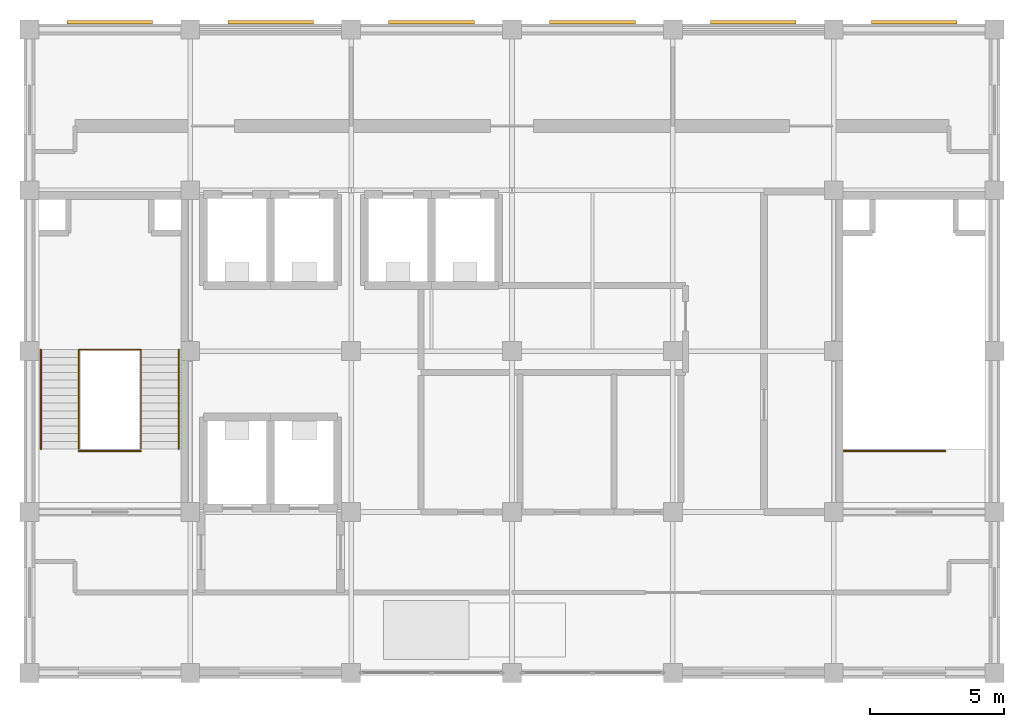
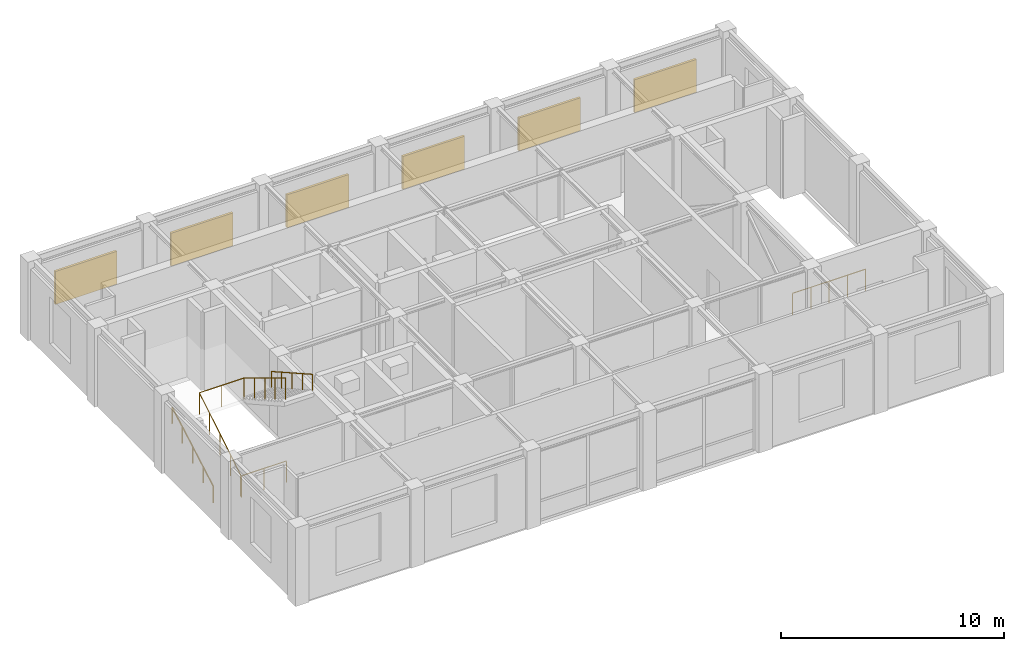
# One storey, part 11 of 11: 6 shading devices, 5 railings.
"""IFC4 building model written with IfcOpenShell, lengths in metres."""

from ifc_helpers import new_model, si_unit, direction, frame, origin, origin_2d, place, context, subcontext, project, spatial, rectangle, circle, extrude, material, type_object, element, save


model = new_model("IFC4")

# Units and contexts
model_context = context("Model", 3, precision=1e-05, world=origin(), true_north=direction((0.0, 1.0)))
body_context = subcontext(model_context, "Body", "Model", "MODEL_VIEW")
ifc_project = project(units=[si_unit("LENGTHUNIT", "METRE"), si_unit("AREAUNIT", "SQUARE_METRE"), si_unit("VOLUMEUNIT", "CUBIC_METRE"), si_unit("PLANEANGLEUNIT", "RADIAN"), si_unit("MASSUNIT", "GRAM", prefix="KILO")], contexts=[model_context])

# Site, building, storey
site_placement = place(None, origin())
site = spatial("IfcSite", under=ifc_project, at=site_placement, CompositionType="ELEMENT")
building_placement = place(site_placement, origin())
building = spatial("IfcBuilding", under=site, at=building_placement, Name="Zlatovratsky Civic Hall", CompositionType="ELEMENT")
storey_placement = place(building_placement, frame((0.0, 0.0, 72.0)))
storey = spatial("IfcBuildingStorey", under=building, at=storey_placement, Name="L18", CompositionType="ELEMENT", Elevation=72.0)

# Shading devices
ifc_material_1 = material(Name="Anodised bronze aluminium", Category="aluminium")
shading_device_type = type_object("IfcShadingDeviceType", Name="Louvre_BronzeAcoustic", PredefinedType="SHUTTER", material=ifc_material_1)
for number, where, z_axis, x_axis, name in (
    (1, (69.0, 102.27001953125, 1.0400390625), (0.0, 0.0, 1.0), (1.0, 0.0, 0.0), "LV-01"),
    (2, (75.0, 102.27001953125, 1.0400390625), (0.0, 0.0, 1.0), (1.0, 0.0, 0.0), "LV-02"),
    (3, (81.0, 102.27001953125, 1.0400390625), (0.0, 0.0, 1.0), (1.0, 0.0, 0.0), "LV-03"),
    (4, (87.0, 102.27001953125, 1.0400390625), (0.0, 0.0, 1.0), (1.0, 0.0, 0.0), "LV-04"),
    (5, (93.0, 102.27001953125, 1.0400390625), (0.0, 0.0, 1.0), (1.0, 0.0, 0.0), "LV-05"),
    (6, (99.0, 102.27001953125, 1.0400390625), (0.0, 0.0, 1.0), (1.0, 0.0, 0.0), "LV-06"),
):
    element("IfcShadingDevice", number, at=place(storey_placement, frame(where, z_axis=z_axis, x_axis=x_axis)), inside=storey, type_object=shading_device_type, Name=name, PredefinedType="SHUTTER", context=body_context, shape_type="SweptSolid", body=[
        extrude(rectangle(XDim=3.199951171875, YDim=0.1201171875, at=origin_2d()), origin(), (0.0, 0.0, 1.0), 1.800048828125),
    ])

# Railings
ifc_material_2 = material(Name="Brushed stainless steel AISI 304", Category="steel")
railing_type_1 = type_object("IfcRailingType", Name="Railing_Guardrail_1200", PredefinedType="GUARDRAIL", material=ifc_material_2)
railing_1_placement = place(storey_placement, frame((67.840087890625, 86.35009765625, 0.0)))
element("IfcRailing", 7, at=railing_1_placement, inside=storey, type_object=railing_type_1, Name="RL-0572", PredefinedType="GUARDRAIL", context=body_context, shape_type="SweptSolid", body=[
    extrude(circle(Radius=0.02392578125, at=origin_2d()), frame((0.0, 0.0, 1.17578125), z_axis=(0.0, 0.854722365387, 0.519085424673), x_axis=(-1.0, 0.0, 0.0)), (0.0, 0.0, 1.0), 4.33447265625),
    extrude(circle(Radius=0.02392578125, at=origin_2d()), frame((0.0, 3.704833984375, 3.42578125), z_axis=(1.0, 0.0, 0.0), x_axis=(0.0, 1.0, 0.0)), (0.0, 0.0, 1.0), 2.31982421875),
    extrude(circle(Radius=0.02392578125, at=origin_2d()), frame((2.31982421875, 3.704833984375, 3.42578125), z_axis=(0.0, -0.854722365387, 0.519085424673), x_axis=(1.0, 0.0, 0.0)), (0.0, 0.0, 1.0), 4.33447265625),
    extrude(circle(Radius=0.02099609375, at=origin_2d()), origin(), (0.0, 0.0, 1.0), 1.15185546875),
    extrude(circle(Radius=0.02099609375, at=origin_2d()), frame((0.0, 0.92626953125, 0.5625)), (0.0, 0.0, 1.0), 1.15185546875),
    extrude(circle(Radius=0.02099609375, at=origin_2d()), frame((0.0, 1.8525390625, 1.125)), (0.0, 0.0, 1.0), 1.15185546875),
    extrude(circle(Radius=0.02099609375, at=origin_2d()), frame((0.0, 2.778564453125, 1.6875)), (0.0, 0.0, 1.0), 1.15185546875),
    extrude(circle(Radius=0.02099609375, at=origin_2d()), frame((0.0, 3.704833984375, 2.25)), (0.0, 0.0, 1.0), 1.15185546875),
    extrude(circle(Radius=0.02099609375, at=origin_2d()), frame((1.159912109375, 3.704833984375, 2.25)), (0.0, 0.0, 1.0), 1.15185546875),
    extrude(circle(Radius=0.02099609375, at=origin_2d()), frame((2.31982421875, 3.704833984375, 2.25)), (0.0, 0.0, 1.0), 1.15185546875),
    extrude(circle(Radius=0.02099609375, at=origin_2d()), frame((2.31982421875, 2.778564453125, 2.8125)), (0.0, 0.0, 1.0), 1.15185546875),
    extrude(circle(Radius=0.02099609375, at=origin_2d()), frame((2.31982421875, 1.8525390625, 3.375)), (0.0, 0.0, 1.0), 1.15185546875),
    extrude(circle(Radius=0.02099609375, at=origin_2d()), frame((2.31982421875, 0.92626953125, 3.9375)), (0.0, 0.0, 1.0), 1.15185546875),
    extrude(circle(Radius=0.02099609375, at=origin_2d()), frame((2.31982421875, 0.0, 4.5)), (0.0, 0.0, 1.0), 1.15185546875),
])
railing_2_placement = place(storey_placement, frame((67.840087890625, 86.27001953125, 0.0)))
element("IfcRailing", 8, at=railing_2_placement, inside=storey, type_object=railing_type_1, Name="RL-0575", PredefinedType="GUARDRAIL", context=body_context, shape_type="SweptSolid", body=[
    extrude(circle(Radius=0.02392578125, at=origin_2d()), frame((0.0, 0.0, 1.17578125), z_axis=(1.0, 0.0, 0.0), x_axis=(0.0, 1.0, 0.0)), (0.0, 0.0, 1.0), 2.31982421875),
    extrude(circle(Radius=0.02099609375, at=origin_2d()), origin(), (0.0, 0.0, 1.0), 1.15185546875),
    extrude(circle(Radius=0.02099609375, at=origin_2d()), frame((1.159912109375, 0.0, 0.0)), (0.0, 0.0, 1.0), 1.15185546875),
    extrude(circle(Radius=0.02099609375, at=origin_2d()), frame((2.31982421875, 0.0, 0.0)), (0.0, 0.0, 1.0), 1.15185546875),
])
railing_3_placement = place(storey_placement, frame((96.3798828125, 86.27001953125, 0.0)))
element("IfcRailing", 9, at=railing_3_placement, inside=storey, type_object=railing_type_1, Name="RL-0648", PredefinedType="GUARDRAIL", context=body_context, shape_type="SweptSolid", body=[
    extrude(circle(Radius=0.02392578125, at=origin_2d()), frame((0.0, 0.0, 1.17578125), z_axis=(1.0, 0.0, 0.0), x_axis=(0.0, 1.0, 0.0)), (0.0, 0.0, 1.0), 3.780029296875),
    extrude(circle(Radius=0.02099609375, at=origin_2d()), origin(), (0.0, 0.0, 1.0), 1.15185546875),
    extrude(circle(Radius=0.02099609375, at=origin_2d()), frame((0.945068359375, 0.0, 0.0)), (0.0, 0.0, 1.0), 1.15185546875),
    extrude(circle(Radius=0.02099609375, at=origin_2d()), frame((1.89013671875, 0.0, 0.0)), (0.0, 0.0, 1.0), 1.15185546875),
    extrude(circle(Radius=0.02099609375, at=origin_2d()), frame((2.8349609375, 0.0, 0.0)), (0.0, 0.0, 1.0), 1.15185546875),
    extrude(circle(Radius=0.02099609375, at=origin_2d()), frame((3.780029296875, 0.0, 0.0)), (0.0, 0.0, 1.0), 1.15185546875),
])
railing_type_2 = type_object("IfcRailingType", Name="Railing_Handrail_900", PredefinedType="HANDRAIL", material=ifc_material_2)
railing_4_placement = place(storey_placement, frame((66.429931640625, 86.35009765625, 0.160888671875)))
element("IfcRailing", 10, at=railing_4_placement, inside=storey, type_object=railing_type_2, Name="RL-0573", PredefinedType="HANDRAIL", context=body_context, shape_type="SweptSolid", body=[
    extrude(circle(Radius=0.02392578125, at=origin_2d()), frame((0.0, 0.0, 0.8759765625), z_axis=(0.0, 0.871058445265, 0.491179381623), x_axis=(-1.0, 0.0, 0.0)), (0.0, 0.0, 1.0), 4.253173828125),
    extrude(circle(Radius=0.02099609375, at=origin_2d()), origin(), (0.0, 0.0, 1.0), 0.851806640625),
    extrude(circle(Radius=0.02099609375, at=origin_2d()), frame((0.0, 0.92626953125, 0.522216796875)), (0.0, 0.0, 1.0), 0.851806640625),
    extrude(circle(Radius=0.02099609375, at=origin_2d()), frame((0.0, 1.8525390625, 1.04443359375)), (0.0, 0.0, 1.0), 0.851806640625),
    extrude(circle(Radius=0.02099609375, at=origin_2d()), frame((0.0, 2.778564453125, 1.56689453125)), (0.0, 0.0, 1.0), 0.851806640625),
    extrude(circle(Radius=0.02099609375, at=origin_2d()), frame((0.0, 3.704833984375, 2.089111328125)), (0.0, 0.0, 1.0), 0.851806640625),
])
railing_5_placement = place(storey_placement, frame((71.570068359375, 90.054931640625, 2.410888671875)))
element("IfcRailing", 11, at=railing_5_placement, inside=storey, type_object=railing_type_2, Name="RL-0574", PredefinedType="HANDRAIL", context=body_context, shape_type="SweptSolid", body=[
    extrude(circle(Radius=0.02392578125, at=origin_2d()), frame((0.0, 0.0, 0.8759765625), z_axis=(0.0, -0.871058445265, 0.491179381623), x_axis=(1.0, 0.0, 0.0)), (0.0, 0.0, 1.0), 4.253173828125),
    extrude(circle(Radius=0.02099609375, at=origin_2d()), origin(), (0.0, 0.0, 1.0), 0.851806640625),
    extrude(circle(Radius=0.02099609375, at=origin_2d()), frame((0.0, -0.92626953125, 0.522216796875)), (0.0, 0.0, 1.0), 0.851806640625),
    extrude(circle(Radius=0.02099609375, at=origin_2d()), frame((0.0, -1.8525390625, 1.04443359375)), (0.0, 0.0, 1.0), 0.851806640625),
    extrude(circle(Radius=0.02099609375, at=origin_2d()), frame((0.0, -2.778564453125, 1.56689453125)), (0.0, 0.0, 1.0), 0.851806640625),
    extrude(circle(Radius=0.02099609375, at=origin_2d()), frame((0.0, -3.704833984375, 2.089111328125)), (0.0, 0.0, 1.0), 0.851806640625),
])

save(model, "model.ifc")
